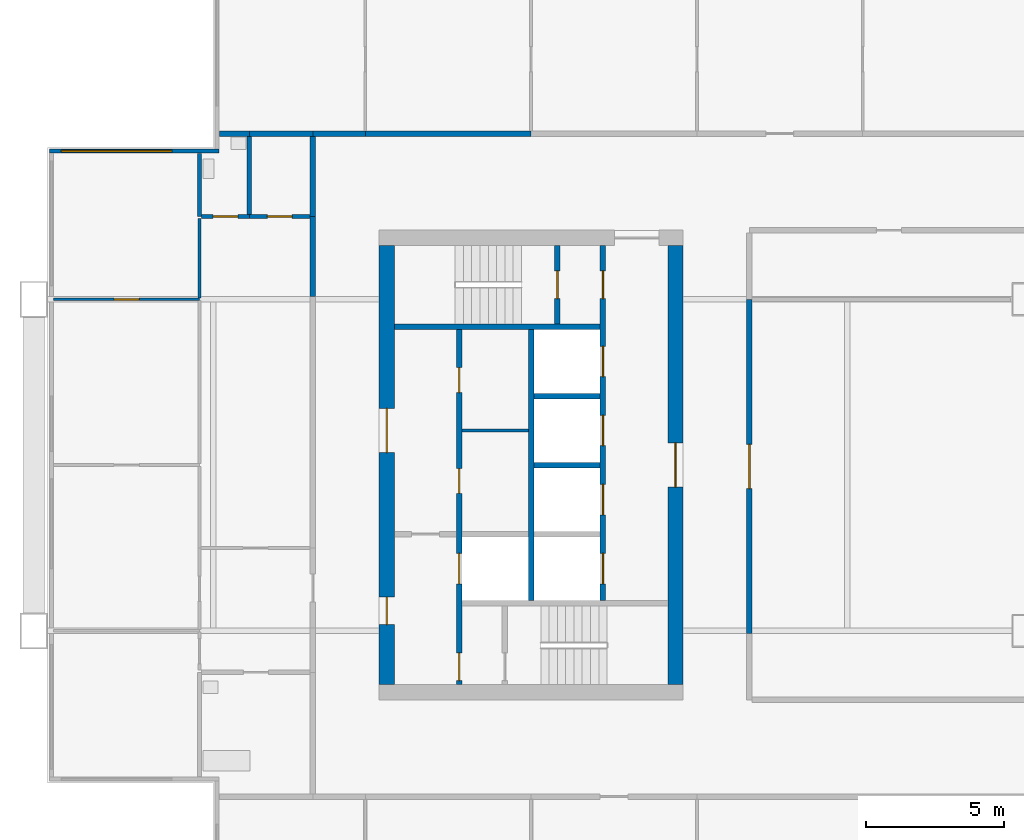
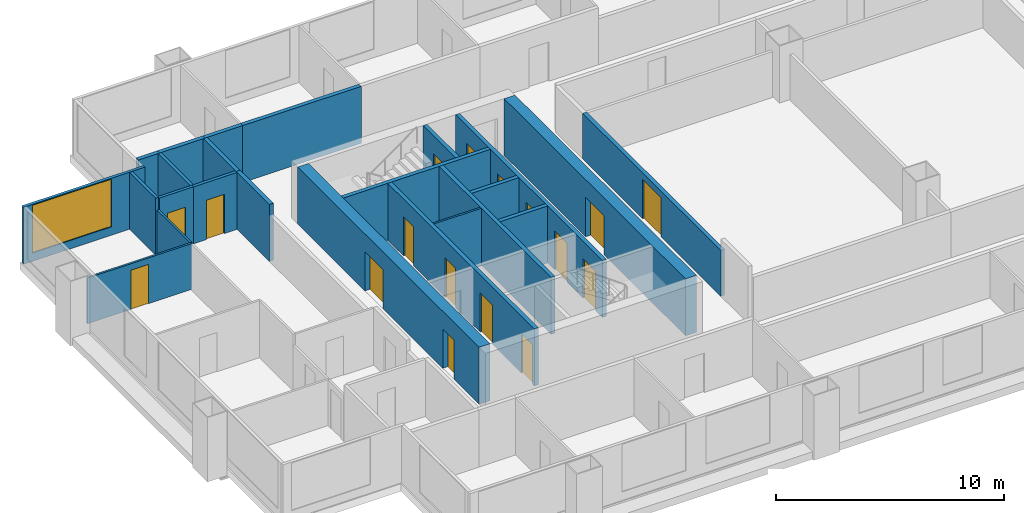
# One storey, part 3 of 8: 24 walls, 17 doors, 1 window, 18 openings.
"""IFC4 building model written with IfcOpenShell, lengths in metres."""

from ifc_helpers import new_model, si_unit, direction, frame, frame_2d, origin, place, context, subcontext, project, spatial, rectangle, extrude, material, layer, layer_set, type_object, element, fill, save


model = new_model("IFC4")

# Units and contexts
model_context = context("Model", 3, precision=1e-05, world=origin(), true_north=direction((0.0, 1.0)))
body_context = subcontext(model_context, "Body", "Model", "MODEL_VIEW")
ifc_project = project(units=[si_unit("LENGTHUNIT", "METRE"), si_unit("AREAUNIT", "SQUARE_METRE"), si_unit("VOLUMEUNIT", "CUBIC_METRE"), si_unit("PLANEANGLEUNIT", "RADIAN"), si_unit("MASSUNIT", "GRAM", prefix="KILO")], contexts=[model_context])

# Site, building, storey
site_placement = place(None, origin())
site = spatial("IfcSite", under=ifc_project, at=site_placement, CompositionType="ELEMENT")
building_placement = place(site_placement, origin())
building = spatial("IfcBuilding", under=site, at=building_placement, Name="Kitamizu Gate Tower and Museum", CompositionType="ELEMENT")
storey_placement = place(building_placement, frame((0.0, 0.0, 172.050048828125)))
storey = spatial("IfcBuildingStorey", under=building, at=storey_placement, Name="L45", CompositionType="ELEMENT", Elevation=172.050048828125)

# Wall, openings, doors
ifc_material_1 = material(Name="Concrete Fc42", Category="concrete")
ifc_layer_1 = layer(ifc_material_1, 0.550048828125)
ifc_layer_set_1 = layer_set([ifc_layer_1], Name="Concrete Fc42")
wall_type_1 = type_object("IfcWallType", Name="Core wall 550", PredefinedType="SHEAR", material=ifc_layer_set_1)
wall_1_placement = place(storey_placement, frame((12.77490234375, 22.050048828125, 0.0), z_axis=(0.0, 0.0, 1.0), x_axis=(0.0, 1.0, 0.0)))
wall_1 = element("IfcWall", 1, at=wall_1_placement, inside=storey, type_object=wall_type_1, Name="Core wall WOUT", PredefinedType="SHEAR", context=body_context, shape_type="SweptSolid", body=[
    extrude(rectangle(XDim=15.89990234375, YDim=0.550048828125, at=frame_2d((7.949951171875, 0.0))), origin(), (0.0, 0.0, 1.0), 3.050048828125),
])
opening_1_placement = place(wall_1_placement, frame((8.39990234375, 0.0, 0.0)))
opening_1 = element("IfcOpeningElement", 2, at=opening_1_placement, cuts=wall_1, Name="Opening L45-035", PredefinedType="OPENING", context=body_context, shape_type="SweptSolid", body=[
    extrude(rectangle(XDim=1.60009765625, YDim=2.10009765625, at=frame_2d((0.800048828125, 1.050048828125))), frame((0.0, 0.28515625, 0.0), z_axis=(0.0, -1.0, 0.0), x_axis=(1.0, 0.0, 0.0)), (0.0, 0.0, 1.0), 0.570068359375),
])
opening_2_placement = place(wall_1_placement, frame((2.175048828125, 0.0, 0.0)))
opening_2 = element("IfcOpeningElement", 3, at=opening_2_placement, cuts=wall_1, Name="Opening L45-036", PredefinedType="OPENING", context=body_context, shape_type="SweptSolid", body=[
    extrude(rectangle(XDim=1.0, YDim=2.10009765625, at=frame_2d((0.5, 1.050048828125))), frame((0.0, 0.28515625, 0.0), z_axis=(0.0, -1.0, 0.0), x_axis=(1.0, 0.0, 0.0)), (0.0, 0.0, 1.0), 0.570068359375),
])
ifc_material_2 = material(Name="Timber door set", Category="wood")
door_type_1 = type_object("IfcDoorType", Name="Entrance door 1600", OperationType="DOUBLE_DOOR_SINGLE_SWING", PredefinedType="DOOR", material=ifc_material_2)
door_1_placement = place(opening_1_placement, origin())
door_1 = element("IfcDoor", 4, at=door_1_placement, inside=storey, type_object=door_type_1, Name="Lobby door L45-035", OperationType="DOUBLE_DOOR_SINGLE_SWING", OverallHeight=2.10009765625, OverallWidth=1.60009765625, PredefinedType="DOOR", context=body_context, shape_type="SweptSolid", body=[
    extrude(rectangle(XDim=1.60009765625, YDim=2.10009765625, at=frame_2d((0.800048828125, 1.050048828125))), frame((0.0, 0.02490234375, 0.0), z_axis=(0.0, -1.0, 0.0), x_axis=(1.0, 0.0, 0.0)), (0.0, 0.0, 1.0), 0.050048828125),
])
fill(opening_1, door_1)
ifc_material_3 = material(Name="Hollow metal door set")
door_type_2 = type_object("IfcDoorType", Name="Fire door 1000", OperationType="NOTDEFINED", PredefinedType="DOOR", material=ifc_material_3)
door_2_placement = place(opening_2_placement, frame((1.0, 0.0, 0.0), x_axis=(-1.0, 0.0, 0.0)))
door_2 = element("IfcDoor", 5, at=door_2_placement, inside=storey, type_object=door_type_2, Name="Fire-fighting lobby door L45-036", OperationType="SINGLE_SWING_RIGHT", OverallHeight=2.10009765625, OverallWidth=1.0, PredefinedType="DOOR", context=body_context, shape_type="SweptSolid", body=[
    extrude(rectangle(XDim=1.0, YDim=2.10009765625, at=frame_2d((0.5, 1.050048828125))), frame((0.0, 0.02490234375, 0.0), z_axis=(0.0, -1.0, 0.0), x_axis=(1.0, 0.0, 0.0)), (0.0, 0.0, 1.0), 0.050048828125),
])
fill(opening_2, door_2)

# Wall, opening, door
wall_2_placement = place(storey_placement, frame((23.22509765625, 22.050048828125, 0.0), z_axis=(0.0, 0.0, 1.0), x_axis=(0.0, 1.0, 0.0)))
wall_2 = element("IfcWall", 6, at=wall_2_placement, inside=storey, type_object=wall_type_1, Name="Core wall WARC", PredefinedType="SHEAR", context=body_context, shape_type="SweptSolid", body=[
    extrude(rectangle(XDim=15.89990234375, YDim=0.550048828125, at=frame_2d((7.949951171875, 0.0))), origin(), (0.0, 0.0, 1.0), 3.050048828125),
])
opening_3_placement = place(wall_2_placement, frame((7.14990234375, 0.0, 0.0)))
opening_3 = element("IfcOpeningElement", 7, at=opening_3_placement, cuts=wall_2, Name="Opening L45-038", PredefinedType="OPENING", context=body_context, shape_type="SweptSolid", body=[
    extrude(rectangle(XDim=1.60009765625, YDim=2.10009765625, at=frame_2d((0.800048828125, 1.050048828125))), frame((0.0, 0.28515625, 0.0), z_axis=(0.0, -1.0, 0.0), x_axis=(1.0, 0.0, 0.0)), (0.0, 0.0, 1.0), 0.570068359375),
])
door_3_placement = place(opening_3_placement, origin())
door_3 = element("IfcDoor", 8, at=door_3_placement, inside=storey, type_object=door_type_1, Name="Lobby door L45-038", OperationType="DOUBLE_DOOR_SINGLE_SWING", OverallHeight=2.10009765625, OverallWidth=1.60009765625, PredefinedType="DOOR", context=body_context, shape_type="SweptSolid", body=[
    extrude(rectangle(XDim=1.60009765625, YDim=2.10009765625, at=frame_2d((0.800048828125, 1.050048828125))), frame((0.0, 0.02490234375, 0.0), z_axis=(0.0, -1.0, 0.0), x_axis=(1.0, 0.0, 0.0)), (0.0, 0.0, 1.0), 0.050048828125),
])
fill(opening_3, door_3)

# Wall
ifc_material_4 = material(Name="Gypsum board on galvanised stud")
ifc_layer_2 = layer(ifc_material_4, 0.10009765625)
ifc_layer_set_2 = layer_set([ifc_layer_2], Name="Gypsum board on galvanised stud")
wall_type_2 = type_object("IfcWallType", Name="Partition 100", PredefinedType="PARTITIONING", material=ifc_layer_set_2)
wall_3_placement = place(storey_placement, frame((15.5, 31.25, 0.0), z_axis=(0.0, 0.0, 1.0), x_axis=(1.0, 0.0, 0.0)))
element("IfcWall", 9, at=wall_3_placement, inside=storey, type_object=wall_type_2, Name="Partition WPF1", PredefinedType="PARTITIONING", context=body_context, shape_type="SweptSolid", body=[
    extrude(rectangle(XDim=2.39990234375, YDim=0.10009765625, at=frame_2d((1.199951171875, 0.0))), origin(), (0.0, 0.0, 1.0), 3.050048828125),
])

# Wall, opening, door
ifc_material_5 = material(Name="Gypsum board on galvanised stud")
ifc_layer_3 = layer(ifc_material_5, 0.10009765625)
ifc_layer_set_3 = layer_set([ifc_layer_3], Name="Gypsum board on galvanised stud")
wall_type_3 = type_object("IfcWallType", Name="Partition 100 NOT RATED", PredefinedType="PARTITIONING", material=ifc_layer_set_3)
wall_4_placement = place(storey_placement, frame((6.0, 36.0, 0.0), z_axis=(0.0, 0.0, 1.0), x_axis=(-1.0, 0.0, 0.0)))
wall_4 = element("IfcWall", 10, at=wall_4_placement, inside=storey, type_object=wall_type_3, Name="Partition L45-043", PredefinedType="PARTITIONING", context=body_context, shape_type="SweptSolid", body=[
    extrude(rectangle(XDim=5.280029296875, YDim=0.10009765625, at=frame_2d((2.64013671875, 0.0))), origin(), (0.0, 0.0, 1.0), 2.449951171875),
])
opening_4_placement = place(wall_4_placement, frame((2.18994140625, 0.0, 0.0)))
opening_4 = element("IfcOpeningElement", 11, at=opening_4_placement, cuts=wall_4, Name="Opening L45-020", PredefinedType="OPENING", context=body_context, shape_type="SweptSolid", body=[
    extrude(rectangle(XDim=0.89990234375, YDim=2.10009765625, at=frame_2d((0.449951171875, 1.050048828125))), frame((0.0, 0.06005859375, 0.0), z_axis=(0.0, -1.0, 0.0), x_axis=(1.0, 0.0, 0.0)), (0.0, 0.0, 1.0), 0.1201171875),
])
ifc_material_6 = material(Name="Timber door set", Category="wood")
door_type_3 = type_object("IfcDoorType", Name="Room door 900", OperationType="NOTDEFINED", PredefinedType="DOOR", material=ifc_material_6)
door_4_placement = place(opening_4_placement, frame((0.89990234375, 0.0, 0.0), x_axis=(-1.0, 0.0, 0.0)))
door_4 = element("IfcDoor", 12, at=door_4_placement, inside=storey, type_object=door_type_3, Name="Door L45-020", OperationType="SINGLE_SWING_LEFT", OverallHeight=2.10009765625, OverallWidth=0.89990234375, PredefinedType="DOOR", context=body_context, shape_type="SweptSolid", body=[
    extrude(rectangle(XDim=0.89990234375, YDim=2.10009765625, at=frame_2d((0.449951171875, 1.050048828125))), frame((0.0, 0.02490234375, 0.0), z_axis=(0.0, -1.0, 0.0), x_axis=(1.0, 0.0, 0.0)), (0.0, 0.0, 1.0), 0.050048828125),
])
fill(opening_4, door_4)

# Walls
wall_5_placement = place(storey_placement, frame((6.0, 36.050048828125, 0.0), z_axis=(0.0, 0.0, 1.0), x_axis=(0.0, 1.0, 0.0)))
element("IfcWall", 13, at=wall_5_placement, inside=storey, type_object=wall_type_3, Name="Partition L45-045", PredefinedType="PARTITIONING", context=body_context, shape_type="SweptSolid", body=[
    extrude(rectangle(XDim=2.875, YDim=0.10009765625, at=frame_2d((1.4375, 0.0))), origin(), (0.0, 0.0, 1.0), 2.449951171875),
])
ifc_material_7 = material(Name="Gypsum board on galvanised stud")
ifc_layer_4 = layer(ifc_material_7, 0.14990234375)
ifc_layer_set_4 = layer_set([ifc_layer_4], Name="Gypsum board on galvanised stud")
wall_type_4 = type_object("IfcWallType", Name="Partition 150", PredefinedType="PARTITIONING", material=ifc_layer_set_4)
wall_6_placement = place(storey_placement, frame((6.0, 39.0, 0.0), z_axis=(0.0, 0.0, 1.0), x_axis=(0.0, 1.0, 0.0)))
element("IfcWall", 14, at=wall_6_placement, inside=storey, type_object=wall_type_4, Name="Partition L45-046", PredefinedType="PARTITIONING", context=body_context, shape_type="SweptSolid", body=[
    extrude(rectangle(XDim=2.280029296875, YDim=0.14990234375, at=frame_2d((1.14013671875, 0.0))), origin(), (0.0, 0.0, 1.0), 3.050048828125),
])

# Wall, opening, door
wall_7_placement = place(storey_placement, frame((7.800048828125, 39.0, 0.0), z_axis=(0.0, 0.0, 1.0), x_axis=(-1.0, 0.0, 0.0)))
wall_7 = element("IfcWall", 15, at=wall_7_placement, inside=storey, type_object=wall_type_4, Name="Partition L45-052", PredefinedType="PARTITIONING", context=body_context, shape_type="SweptSolid", body=[
    extrude(rectangle(XDim=1.72509765625, YDim=0.14990234375, at=frame_2d((0.862548828125, 0.0))), origin(), (0.0, 0.0, 1.0), 3.050048828125),
])
opening_5_placement = place(wall_7_placement, frame((0.41259765625, 0.0, 0.0)))
opening_5 = element("IfcOpeningElement", 16, at=opening_5_placement, cuts=wall_7, Name="Opening L45-022", PredefinedType="OPENING", context=body_context, shape_type="SweptSolid", body=[
    extrude(rectangle(XDim=0.89990234375, YDim=2.10009765625, at=frame_2d((0.449951171875, 1.050048828125))), frame((0.0, 0.0849609375, 0.0), z_axis=(0.0, -1.0, 0.0), x_axis=(1.0, 0.0, 0.0)), (0.0, 0.0, 1.0), 0.169921875),
])
ifc_material_8 = material(Name="Timber door set", Category="wood")
door_type_4 = type_object("IfcDoorType", Name="Bathroom door 900", OperationType="NOTDEFINED", PredefinedType="DOOR", material=ifc_material_8)
door_5_placement = place(opening_5_placement, frame((0.89990234375, 0.0, 0.0), x_axis=(-1.0, 0.0, 0.0)))
door_5 = element("IfcDoor", 17, at=door_5_placement, inside=storey, type_object=door_type_4, Name="Bathroom door L45-022", OperationType="SINGLE_SWING_LEFT", OverallHeight=2.10009765625, OverallWidth=0.89990234375, PredefinedType="DOOR", context=body_context, shape_type="SweptSolid", body=[
    extrude(rectangle(XDim=0.89990234375, YDim=2.10009765625, at=frame_2d((0.449951171875, 1.050048828125))), frame((0.0, 0.02490234375, 0.0), z_axis=(0.0, -1.0, 0.0), x_axis=(1.0, 0.0, 0.0)), (0.0, 0.0, 1.0), 0.050048828125),
])
fill(opening_5, door_5)

wall_8_placement = place(storey_placement, frame((10.0, 39.0, 0.0), z_axis=(0.0, 0.0, 1.0), x_axis=(-1.0, 0.0, 0.0)))
wall_8 = element("IfcWall", 18, at=wall_8_placement, inside=storey, type_object=wall_type_4, Name="Partition L45-053", PredefinedType="PARTITIONING", context=body_context, shape_type="SweptSolid", body=[
    extrude(rectangle(XDim=2.199951171875, YDim=0.14990234375, at=frame_2d((1.10009765625, 0.0))), origin(), (0.0, 0.0, 1.0), 3.050048828125),
])
opening_6_placement = place(wall_8_placement, frame((0.64990234375, 0.0, 0.0)))
opening_6 = element("IfcOpeningElement", 19, at=opening_6_placement, cuts=wall_8, Name="Opening L45-023", PredefinedType="OPENING", context=body_context, shape_type="SweptSolid", body=[
    extrude(rectangle(XDim=0.89990234375, YDim=2.10009765625, at=frame_2d((0.449951171875, 1.050048828125))), frame((0.0, 0.0849609375, 0.0), z_axis=(0.0, -1.0, 0.0), x_axis=(1.0, 0.0, 0.0)), (0.0, 0.0, 1.0), 0.169921875),
])
door_6_placement = place(opening_6_placement, frame((0.89990234375, 0.0, 0.0), x_axis=(-1.0, 0.0, 0.0)))
door_6 = element("IfcDoor", 20, at=door_6_placement, inside=storey, type_object=door_type_4, Name="Bathroom door L45-023", OperationType="SINGLE_SWING_RIGHT", OverallHeight=2.10009765625, OverallWidth=0.89990234375, PredefinedType="DOOR", context=body_context, shape_type="SweptSolid", body=[
    extrude(rectangle(XDim=0.89990234375, YDim=2.10009765625, at=frame_2d((0.449951171875, 1.050048828125))), frame((0.0, 0.02490234375, 0.0), z_axis=(0.0, -1.0, 0.0), x_axis=(1.0, 0.0, 0.0)), (0.0, 0.0, 1.0), 0.050048828125),
])
fill(opening_6, door_6)

# Walls
wall_9_placement = place(storey_placement, frame((7.800048828125, 39.074951171875, 0.0), z_axis=(0.0, 0.0, 1.0), x_axis=(0.0, 1.0, 0.0)))
element("IfcWall", 21, at=wall_9_placement, inside=storey, type_object=wall_type_4, Name="Partition L45-056", PredefinedType="PARTITIONING", context=body_context, shape_type="SweptSolid", body=[
    extrude(rectangle(XDim=2.824951171875, YDim=0.14990234375, at=frame_2d((1.41259765625, 0.0))), origin(), (0.0, 0.0, 1.0), 3.050048828125),
])
ifc_material_9 = material(Name="Gypsum board on galvanised stud")
ifc_layer_5 = layer(ifc_material_9, 0.199951171875)
ifc_layer_set_5 = layer_set([ifc_layer_5], Name="Gypsum board on galvanised stud")
wall_type_5 = type_object("IfcWallType", Name="Partition 200", PredefinedType="PARTITIONING", material=ifc_layer_set_5)
wall_10_placement = place(storey_placement, frame((6.719970703125, 42.0, 0.0), z_axis=(0.0, 0.0, 1.0), x_axis=(1.0, 0.0, 0.0)))
element("IfcWall", 22, at=wall_10_placement, inside=storey, type_object=wall_type_5, Name="Partition L45-019", PredefinedType="PARTITIONING", context=body_context, shape_type="SweptSolid", body=[
    extrude(rectangle(XDim=1.080078125, YDim=0.199951171875, at=frame_2d((0.5400390625, 0.0))), origin(), (0.0, 0.0, 1.0), 3.050048828125),
])
wall_11_placement = place(storey_placement, frame((7.800048828125, 42.0, 0.0), z_axis=(0.0, 0.0, 1.0), x_axis=(1.0, 0.0, 0.0)))
element("IfcWall", 23, at=wall_11_placement, inside=storey, type_object=wall_type_5, Name="Partition L45-020", PredefinedType="PARTITIONING", context=body_context, shape_type="SweptSolid", body=[
    extrude(rectangle(XDim=2.300048828125, YDim=0.199951171875, at=frame_2d((1.14990234375, 0.0))), origin(), (0.0, 0.0, 1.0), 3.050048828125),
])
wall_12_placement = place(storey_placement, frame((10.10009765625, 42.0, 0.0), z_axis=(0.0, 0.0, 1.0), x_axis=(1.0, 0.0, 0.0)))
element("IfcWall", 24, at=wall_12_placement, inside=storey, type_object=wall_type_5, Name="Partition L45-021", PredefinedType="PARTITIONING", context=body_context, shape_type="SweptSolid", body=[
    extrude(rectangle(XDim=1.89990234375, YDim=0.199951171875, at=frame_2d((0.949951171875, 0.0))), origin(), (0.0, 0.0, 1.0), 3.050048828125),
])
wall_13_placement = place(storey_placement, frame((12.0, 42.0, 0.0), z_axis=(0.0, 0.0, 1.0), x_axis=(1.0, 0.0, 0.0)))
element("IfcWall", 25, at=wall_13_placement, inside=storey, type_object=wall_type_5, Name="Partition L45-023", PredefinedType="PARTITIONING", context=body_context, shape_type="SweptSolid", body=[
    extrude(rectangle(XDim=6.0, YDim=0.199951171875, at=frame_2d((3.0, 0.0))), origin(), (0.0, 0.0, 1.0), 3.050048828125),
])
for number, where, z_axis, x_axis, name in (
    (26, (10.10009765625, 36.10009765625, 0.0), (0.0, 0.0, 1.0), (0.0, 1.0, 0.0), "Partition L45-055"),
    (27, (10.10009765625, 39.0, 0.0), (0.0, 0.0, 1.0), (0.0, 1.0, 0.0), "Partition L45-057"),
):
    element("IfcWall", number, at=place(storey_placement, frame(where, z_axis=z_axis, x_axis=x_axis)), inside=storey, type_object=wall_type_5, Name=name, PredefinedType="PARTITIONING", context=body_context, shape_type="SweptSolid", body=[
        extrude(rectangle(XDim=2.89990234375, YDim=0.199951171875, at=frame_2d((1.449951171875, 0.0))), origin(), (0.0, 0.0, 1.0), 3.050048828125),
    ])

# Wall, opening, door
wall_14_placement = place(storey_placement, frame((25.89990234375, 36.0, 0.0), z_axis=(0.0, 0.0, 1.0), x_axis=(0.0, -1.0, 0.0)))
wall_14 = element("IfcWall", 28, at=wall_14_placement, inside=storey, type_object=wall_type_5, Name="Partition L45-058", PredefinedType="PARTITIONING", context=body_context, shape_type="SweptSolid", body=[
    extrude(rectangle(XDim=12.10009765625, YDim=0.199951171875, at=frame_2d((6.050048828125, 0.0))), origin(), (0.0, 0.0, 1.0), 2.449951171875),
])
opening_7_placement = place(wall_14_placement, frame((5.25, 0.0, 0.0)))
opening_7 = element("IfcOpeningElement", 29, at=opening_7_placement, cuts=wall_14, Name="Opening L45-026", PredefinedType="OPENING", context=body_context, shape_type="SweptSolid", body=[
    extrude(rectangle(XDim=1.60009765625, YDim=2.10009765625, at=frame_2d((0.800048828125, 1.050048828125))), frame((0.0, 0.10986328125, 0.0), z_axis=(0.0, -1.0, 0.0), x_axis=(1.0, 0.0, 0.0)), (0.0, 0.0, 1.0), 0.219970703125),
])
ifc_material_10 = material(Name="Timber door set", Category="wood")
door_type_5 = type_object("IfcDoorType", Name="Double door 1600", OperationType="DOUBLE_DOOR_SINGLE_SWING", PredefinedType="DOOR", material=ifc_material_10)
door_7_placement = place(opening_7_placement, origin())
door_7 = element("IfcDoor", 30, at=door_7_placement, inside=storey, type_object=door_type_5, Name="Double door L45-026", OperationType="DOUBLE_DOOR_SINGLE_SWING", OverallHeight=2.10009765625, OverallWidth=1.60009765625, PredefinedType="DOOR", context=body_context, shape_type="SweptSolid", body=[
    extrude(rectangle(XDim=1.60009765625, YDim=2.10009765625, at=frame_2d((0.800048828125, 1.050048828125))), frame((0.0, 0.02490234375, 0.0), z_axis=(0.0, -1.0, 0.0), x_axis=(1.0, 0.0, 0.0)), (0.0, 0.0, 1.0), 0.050048828125),
])
fill(opening_7, door_7)

# Wall, openings, doors
ifc_material_11 = material(Name="Concrete Fc42", Category="concrete")
ifc_layer_6 = layer(ifc_material_11, 0.199951171875)
ifc_layer_set_6 = layer_set([ifc_layer_6], Name="Concrete Fc42")
wall_type_6 = type_object("IfcWallType", Name="Shaft wall 200", PredefinedType="SOLIDWALL", material=ifc_layer_set_6)
wall_15_placement = place(storey_placement, frame((15.39990234375, 22.050048828125, 0.0), z_axis=(0.0, 0.0, 1.0), x_axis=(0.0, 1.0, 0.0)))
wall_15 = element("IfcWall", 31, at=wall_15_placement, inside=storey, type_object=wall_type_6, Name="Shaft wall WWEST", PredefinedType="SOLIDWALL", context=body_context, shape_type="SweptSolid", body=[
    extrude(rectangle(XDim=12.849853515625, YDim=0.199951171875, at=frame_2d((6.4248046875, 0.0))), origin(), (0.0, 0.0, 1.0), 3.050048828125),
])
opening_8_placement = place(wall_15_placement, frame((3.64990234375, 0.0, 0.0)))
opening_8 = element("IfcOpeningElement", 32, at=opening_8_placement, cuts=wall_15, Name="Opening LD", PredefinedType="OPENING", context=body_context, shape_type="SweptSolid", body=[
    extrude(rectangle(XDim=1.10009765625, YDim=2.10009765625, at=frame_2d((0.550048828125, 1.050048828125))), frame((0.0, 0.10986328125, 0.0), z_axis=(0.0, -1.0, 0.0), x_axis=(1.0, 0.0, 0.0)), (0.0, 0.0, 1.0), 0.219970703125),
])
opening_9_placement = place(wall_15_placement, frame((0.14990234375, 0.0, 0.0)))
opening_9 = element("IfcOpeningElement", 33, at=opening_9_placement, cuts=wall_15, Name="Opening L45-031", PredefinedType="OPENING", context=body_context, shape_type="SweptSolid", body=[
    extrude(rectangle(XDim=1.0, YDim=2.10009765625, at=frame_2d((0.5, 1.050048828125))), frame((0.0, 0.10986328125, 0.0), z_axis=(0.0, -1.0, 0.0), x_axis=(1.0, 0.0, 0.0)), (0.0, 0.0, 1.0), 0.219970703125),
])
opening_10_placement = place(wall_15_placement, frame((6.925048828125, 0.0, 0.0)))
opening_10 = element("IfcOpeningElement", 34, at=opening_10_placement, cuts=wall_15, Name="Opening L45-039", PredefinedType="OPENING", context=body_context, shape_type="SweptSolid", body=[
    extrude(rectangle(XDim=0.89990234375, YDim=2.10009765625, at=frame_2d((0.449951171875, 1.050048828125))), frame((0.0, 0.10986328125, 0.0), z_axis=(0.0, -1.0, 0.0), x_axis=(1.0, 0.0, 0.0)), (0.0, 0.0, 1.0), 0.219970703125),
])
opening_11_placement = place(wall_15_placement, frame((10.574951171875, 0.0, 0.0)))
opening_11 = element("IfcOpeningElement", 35, at=opening_11_placement, cuts=wall_15, Name="Opening L45-040", PredefinedType="OPENING", context=body_context, shape_type="SweptSolid", body=[
    extrude(rectangle(XDim=0.89990234375, YDim=2.10009765625, at=frame_2d((0.449951171875, 1.050048828125))), frame((0.0, 0.10986328125, 0.0), z_axis=(0.0, -1.0, 0.0), x_axis=(1.0, 0.0, 0.0)), (0.0, 0.0, 1.0), 0.219970703125),
])
door_8_placement = place(opening_9_placement, frame((1.0, 0.0, 0.0), x_axis=(-1.0, 0.0, 0.0)))
door_8 = element("IfcDoor", 36, at=door_8_placement, inside=storey, type_object=door_type_2, Name="Stair lobby door L45-031", OperationType="SINGLE_SWING_LEFT", OverallHeight=2.10009765625, OverallWidth=1.0, PredefinedType="DOOR", context=body_context, shape_type="SweptSolid", body=[
    extrude(rectangle(XDim=1.0, YDim=2.10009765625, at=frame_2d((0.5, 1.050048828125))), frame((0.0, 0.02490234375, 0.0), z_axis=(0.0, -1.0, 0.0), x_axis=(1.0, 0.0, 0.0)), (0.0, 0.0, 1.0), 0.050048828125),
])
fill(opening_9, door_8)
ifc_material_12 = material(Name="Hollow metal door set")
door_type_6 = type_object("IfcDoorType", Name="Landing door 1100", OperationType="SLIDING_TO_LEFT", PredefinedType="DOOR", material=ifc_material_12)
door_9_placement = place(opening_8_placement, origin())
door_9 = element("IfcDoor", 37, at=door_9_placement, inside=storey, type_object=door_type_6, Name="Landing door WFF1", OperationType="SLIDING_TO_LEFT", OverallHeight=2.10009765625, OverallWidth=1.10009765625, PredefinedType="DOOR", context=body_context, shape_type="SweptSolid", body=[
    extrude(rectangle(XDim=1.10009765625, YDim=2.10009765625, at=frame_2d((0.550048828125, 1.050048828125))), frame((0.0, 0.02490234375, 0.0), z_axis=(0.0, -1.0, 0.0), x_axis=(1.0, 0.0, 0.0)), (0.0, 0.0, 1.0), 0.050048828125),
])
fill(opening_8, door_9)
ifc_material_13 = material(Name="Timber door set", Category="wood")
door_type_7 = type_object("IfcDoorType", Name="Service door 900", OperationType="NOTDEFINED", PredefinedType="DOOR", material=ifc_material_13)
door_10_placement = place(opening_10_placement, frame((0.89990234375, 0.0, 0.0), x_axis=(-1.0, 0.0, 0.0)))
door_10 = element("IfcDoor", 38, at=door_10_placement, inside=storey, type_object=door_type_7, Name="Service door L45-039", OperationType="SINGLE_SWING_LEFT", OverallHeight=2.10009765625, OverallWidth=0.89990234375, PredefinedType="DOOR", context=body_context, shape_type="SweptSolid", body=[
    extrude(rectangle(XDim=0.89990234375, YDim=2.10009765625, at=frame_2d((0.449951171875, 1.050048828125))), frame((0.0, 0.02490234375, 0.0), z_axis=(0.0, -1.0, 0.0), x_axis=(1.0, 0.0, 0.0)), (0.0, 0.0, 1.0), 0.050048828125),
])
fill(opening_10, door_10)
door_11_placement = place(opening_11_placement, frame((0.89990234375, 0.0, 0.0), x_axis=(-1.0, 0.0, 0.0)))
door_11 = element("IfcDoor", 39, at=door_11_placement, inside=storey, type_object=door_type_7, Name="Service door L45-040", OperationType="SINGLE_SWING_RIGHT", OverallHeight=2.10009765625, OverallWidth=0.89990234375, PredefinedType="DOOR", context=body_context, shape_type="SweptSolid", body=[
    extrude(rectangle(XDim=0.89990234375, YDim=2.10009765625, at=frame_2d((0.449951171875, 1.050048828125))), frame((0.0, 0.02490234375, 0.0), z_axis=(0.0, -1.0, 0.0), x_axis=(1.0, 0.0, 0.0)), (0.0, 0.0, 1.0), 0.050048828125),
])
fill(opening_11, door_11)

wall_16_placement = place(storey_placement, frame((20.60009765625, 25.10009765625, 0.0), z_axis=(0.0, 0.0, 1.0), x_axis=(0.0, 1.0, 0.0)))
wall_16 = element("IfcWall", 40, at=wall_16_placement, inside=storey, type_object=wall_type_6, Name="Shaft wall WEAST", PredefinedType="SOLIDWALL", context=body_context, shape_type="SweptSolid", body=[
    extrude(rectangle(XDim=12.849853515625, YDim=0.199951171875, at=frame_2d((6.4248046875, 0.0))), origin(), (0.0, 0.0, 1.0), 3.050048828125),
])
opening_12_placement = place(wall_16_placement, frame((0.60009765625, 0.0, 0.0)))
opening_12 = element("IfcOpeningElement", 41, at=opening_12_placement, cuts=wall_16, Name="Opening LD", PredefinedType="OPENING", context=body_context, shape_type="SweptSolid", body=[
    extrude(rectangle(XDim=1.10009765625, YDim=2.10009765625, at=frame_2d((0.550048828125, 1.050048828125))), frame((0.0, 0.10986328125, 0.0), z_axis=(0.0, -1.0, 0.0), x_axis=(1.0, 0.0, 0.0)), (0.0, 0.0, 1.0), 0.219970703125),
])
opening_13_placement = place(wall_16_placement, frame((3.10009765625, 0.0, 0.0)))
opening_13 = element("IfcOpeningElement", 42, at=opening_13_placement, cuts=wall_16, Name="Opening LD", PredefinedType="OPENING", context=body_context, shape_type="SweptSolid", body=[
    extrude(rectangle(XDim=1.10009765625, YDim=2.10009765625, at=frame_2d((0.550048828125, 1.050048828125))), frame((0.0, 0.10986328125, 0.0), z_axis=(0.0, -1.0, 0.0), x_axis=(1.0, 0.0, 0.0)), (0.0, 0.0, 1.0), 0.219970703125),
])
opening_14_placement = place(wall_16_placement, frame((5.60009765625, 0.0, 0.0)))
opening_14 = element("IfcOpeningElement", 43, at=opening_14_placement, cuts=wall_16, Name="Opening LD", PredefinedType="OPENING", context=body_context, shape_type="SweptSolid", body=[
    extrude(rectangle(XDim=1.10009765625, YDim=2.10009765625, at=frame_2d((0.550048828125, 1.050048828125))), frame((0.0, 0.10986328125, 0.0), z_axis=(0.0, -1.0, 0.0), x_axis=(1.0, 0.0, 0.0)), (0.0, 0.0, 1.0), 0.219970703125),
])
opening_15_placement = place(wall_16_placement, frame((8.10009765625, 0.0, 0.0)))
opening_15 = element("IfcOpeningElement", 44, at=opening_15_placement, cuts=wall_16, Name="Opening LD", PredefinedType="OPENING", context=body_context, shape_type="SweptSolid", body=[
    extrude(rectangle(XDim=1.10009765625, YDim=2.10009765625, at=frame_2d((0.550048828125, 1.050048828125))), frame((0.0, 0.10986328125, 0.0), z_axis=(0.0, -1.0, 0.0), x_axis=(1.0, 0.0, 0.0)), (0.0, 0.0, 1.0), 0.219970703125),
])
opening_16_placement = place(wall_16_placement, frame((10.925048828125, 0.0, 0.0)))
opening_16 = element("IfcOpeningElement", 45, at=opening_16_placement, cuts=wall_16, Name="Opening L45-032", PredefinedType="OPENING", context=body_context, shape_type="SweptSolid", body=[
    extrude(rectangle(XDim=1.0, YDim=2.10009765625, at=frame_2d((0.5, 1.050048828125))), frame((0.0, 0.10986328125, 0.0), z_axis=(0.0, -1.0, 0.0), x_axis=(1.0, 0.0, 0.0)), (0.0, 0.0, 1.0), 0.219970703125),
])
door_12_placement = place(opening_16_placement, origin())
door_12 = element("IfcDoor", 46, at=door_12_placement, inside=storey, type_object=door_type_2, Name="Stair lobby door L45-032", OperationType="SINGLE_SWING_RIGHT", OverallHeight=2.10009765625, OverallWidth=1.0, PredefinedType="DOOR", context=body_context, shape_type="SweptSolid", body=[
    extrude(rectangle(XDim=1.0, YDim=2.10009765625, at=frame_2d((0.5, 1.050048828125))), frame((0.0, 0.02490234375, 0.0), z_axis=(0.0, -1.0, 0.0), x_axis=(1.0, 0.0, 0.0)), (0.0, 0.0, 1.0), 0.050048828125),
])
fill(opening_16, door_12)
door_13_placement = place(opening_12_placement, origin())
door_13 = element("IfcDoor", 47, at=door_13_placement, inside=storey, type_object=door_type_6, Name="Landing door WSV1", OperationType="SLIDING_TO_LEFT", OverallHeight=2.10009765625, OverallWidth=1.10009765625, PredefinedType="DOOR", context=body_context, shape_type="SweptSolid", body=[
    extrude(rectangle(XDim=1.10009765625, YDim=2.10009765625, at=frame_2d((0.550048828125, 1.050048828125))), frame((0.0, 0.02490234375, 0.0), z_axis=(0.0, -1.0, 0.0), x_axis=(1.0, 0.0, 0.0)), (0.0, 0.0, 1.0), 0.050048828125),
])
fill(opening_12, door_13)
door_14_placement = place(opening_13_placement, origin())
door_14 = element("IfcDoor", 48, at=door_14_placement, inside=storey, type_object=door_type_6, Name="Landing door WH1", OperationType="SLIDING_TO_LEFT", OverallHeight=2.10009765625, OverallWidth=1.10009765625, PredefinedType="DOOR", context=body_context, shape_type="SweptSolid", body=[
    extrude(rectangle(XDim=1.10009765625, YDim=2.10009765625, at=frame_2d((0.550048828125, 1.050048828125))), frame((0.0, 0.02490234375, 0.0), z_axis=(0.0, -1.0, 0.0), x_axis=(1.0, 0.0, 0.0)), (0.0, 0.0, 1.0), 0.050048828125),
])
fill(opening_13, door_14)
door_15_placement = place(opening_14_placement, origin())
door_15 = element("IfcDoor", 49, at=door_15_placement, inside=storey, type_object=door_type_6, Name="Landing door WH2", OperationType="SLIDING_TO_LEFT", OverallHeight=2.10009765625, OverallWidth=1.10009765625, PredefinedType="DOOR", context=body_context, shape_type="SweptSolid", body=[
    extrude(rectangle(XDim=1.10009765625, YDim=2.10009765625, at=frame_2d((0.550048828125, 1.050048828125))), frame((0.0, 0.02490234375, 0.0), z_axis=(0.0, -1.0, 0.0), x_axis=(1.0, 0.0, 0.0)), (0.0, 0.0, 1.0), 0.050048828125),
])
fill(opening_14, door_15)
door_16_placement = place(opening_15_placement, origin())
door_16 = element("IfcDoor", 50, at=door_16_placement, inside=storey, type_object=door_type_6, Name="Landing door WH3", OperationType="SLIDING_TO_LEFT", OverallHeight=2.10009765625, OverallWidth=1.10009765625, PredefinedType="DOOR", context=body_context, shape_type="SweptSolid", body=[
    extrude(rectangle(XDim=1.10009765625, YDim=2.10009765625, at=frame_2d((0.550048828125, 1.050048828125))), frame((0.0, 0.02490234375, 0.0), z_axis=(0.0, -1.0, 0.0), x_axis=(1.0, 0.0, 0.0)), (0.0, 0.0, 1.0), 0.050048828125),
])
fill(opening_15, door_16)

# Walls
wall_17_placement = place(storey_placement, frame((18.0, 25.10009765625, 0.0), z_axis=(0.0, 0.0, 1.0), x_axis=(0.0, 1.0, 0.0)))
element("IfcWall", 51, at=wall_17_placement, inside=storey, type_object=wall_type_6, Name="Shaft wall WMID", PredefinedType="SOLIDWALL", context=body_context, shape_type="SweptSolid", body=[
    extrude(rectangle(XDim=9.7998046875, YDim=0.199951171875, at=frame_2d((4.89990234375, 0.0))), origin(), (0.0, 0.0, 1.0), 3.050048828125),
])
wall_18_placement = place(storey_placement, frame((13.050048828125, 35.0, 0.0), z_axis=(0.0, 0.0, 1.0), x_axis=(1.0, 0.0, 0.0)))
element("IfcWall", 52, at=wall_18_placement, inside=storey, type_object=wall_type_6, Name="Shaft wall WNB", PredefinedType="SOLIDWALL", context=body_context, shape_type="SweptSolid", body=[
    extrude(rectangle(XDim=7.449951171875, YDim=0.199951171875, at=frame_2d((3.72509765625, 0.0))), origin(), (0.0, 0.0, 1.0), 3.050048828125),
])

# Wall, opening, door
wall_19_placement = place(storey_placement, frame((18.949951171875, 35.10009765625, 0.0), z_axis=(0.0, 0.0, 1.0), x_axis=(0.0, 1.0, 0.0)))
wall_19 = element("IfcWall", 53, at=wall_19_placement, inside=storey, type_object=wall_type_6, Name="Shaft wall WNZ", PredefinedType="SOLIDWALL", context=body_context, shape_type="SweptSolid", body=[
    extrude(rectangle(XDim=2.849853515625, YDim=0.199951171875, at=frame_2d((1.4248046875, 0.0))), origin(), (0.0, 0.0, 1.0), 3.050048828125),
])
opening_17_placement = place(wall_19_placement, frame((0.925048828125, 0.0, 0.0)))
opening_17 = element("IfcOpeningElement", 54, at=opening_17_placement, cuts=wall_19, Name="Opening L45-033", PredefinedType="OPENING", context=body_context, shape_type="SweptSolid", body=[
    extrude(rectangle(XDim=1.0, YDim=2.10009765625, at=frame_2d((0.5, 1.050048828125))), frame((0.0, 0.10986328125, 0.0), z_axis=(0.0, -1.0, 0.0), x_axis=(1.0, 0.0, 0.0)), (0.0, 0.0, 1.0), 0.219970703125),
])
door_17_placement = place(opening_17_placement, origin())
door_17 = element("IfcDoor", 55, at=door_17_placement, inside=storey, type_object=door_type_2, Name="Stair door L45-033", OperationType="SINGLE_SWING_LEFT", OverallHeight=2.10009765625, OverallWidth=1.0, PredefinedType="DOOR", context=body_context, shape_type="SweptSolid", body=[
    extrude(rectangle(XDim=1.0, YDim=2.10009765625, at=frame_2d((0.5, 1.050048828125))), frame((0.0, 0.02490234375, 0.0), z_axis=(0.0, -1.0, 0.0), x_axis=(1.0, 0.0, 0.0)), (0.0, 0.0, 1.0), 0.050048828125),
])
fill(opening_17, door_17)

# Walls
for number, where, z_axis, x_axis, name in (
    (56, (18.10009765625, 30.0, 0.0), (0.0, 0.0, 1.0), (1.0, 0.0, 0.0), "Shaft wall WDVE1"),
    (57, (18.10009765625, 32.5, 0.0), (0.0, 0.0, 1.0), (1.0, 0.0, 0.0), "Shaft wall WDVE2"),
):
    element("IfcWall", number, at=place(storey_placement, frame(where, z_axis=z_axis, x_axis=x_axis)), inside=storey, type_object=wall_type_6, Name=name, PredefinedType="SOLIDWALL", context=body_context, shape_type="SweptSolid", body=[
        extrude(rectangle(XDim=2.39990234375, YDim=0.199951171875, at=frame_2d((1.199951171875, 0.0))), origin(), (0.0, 0.0, 1.0), 3.050048828125),
    ])

# Wall, opening, window
ifc_material_14 = material(Name="Bronze anodised aluminium frame with insulated spandrel and tinted glass", Category="aluminium")
ifc_layer_7 = layer(ifc_material_14, 0.14990234375)
ifc_layer_set_7 = layer_set([ifc_layer_7], Name="Bronze anodised aluminium frame with insulated spandrel and tinted glass")
wall_type_7 = type_object("IfcWallType", Name="WINDOW WALL 150 BRONZE FRAME EI 30", PredefinedType="ELEMENTEDWALL", material=ifc_layer_set_7)
wall_20_placement = place(storey_placement, frame((0.56005859375, 41.364990234375, 0.0), z_axis=(0.0, 0.0, 1.0), x_axis=(1.0, 0.0, 0.0)))
wall_20 = element("IfcWall", 58, at=wall_20_placement, inside=storey, type_object=wall_type_7, Name="Window wall north L45", PredefinedType="ELEMENTEDWALL", context=body_context, shape_type="SweptSolid", body=[
    extrude(rectangle(XDim=6.14990234375, YDim=0.14990234375, at=frame_2d((3.074951171875, 0.0))), origin(), (0.0, 0.0, 1.0), 3.050048828125),
])
opening_18_placement = place(wall_20_placement, frame((0.43994140625, 0.0, 0.449951171875)))
opening_18 = element("IfcOpeningElement", 59, at=opening_18_placement, cuts=wall_20, Name="Opening W16", PredefinedType="OPENING", context=body_context, shape_type="SweptSolid", body=[
    extrude(rectangle(XDim=4.0, YDim=2.550048828125, at=frame_2d((2.0, 1.27490234375))), frame((0.0, 0.0849609375, 0.0), z_axis=(0.0, -1.0, 0.0), x_axis=(1.0, 0.0, 0.0)), (0.0, 0.0, 1.0), 0.169921875),
])
ifc_material_15 = material(Name="Bronze anodised aluminium frame, tinted triple glazing", Category="aluminium")
window_type = type_object("IfcWindowType", Name="WINDOW 4000 x 2550 SILL 450", PartitioningType="SINGLE_PANEL", PredefinedType="WINDOW", material=ifc_material_15)
window_placement = place(opening_18_placement, origin())
window = element("IfcWindow", 60, at=window_placement, inside=storey, type_object=window_type, Name="Window W16 L45", OverallHeight=2.550048828125, OverallWidth=4.0, PartitioningType="SINGLE_PANEL", PredefinedType="WINDOW", context=body_context, shape_type="SweptSolid", body=[
    extrude(rectangle(XDim=4.0, YDim=2.550048828125, at=frame_2d((2.0, 1.27490234375))), frame((0.0, 0.030029296875, 0.0), z_axis=(0.0, -1.0, 0.0), x_axis=(1.0, 0.0, 0.0)), (0.0, 0.0, 1.0), 0.06005859375),
])
fill(opening_18, window)

save(model, "model.ifc")
